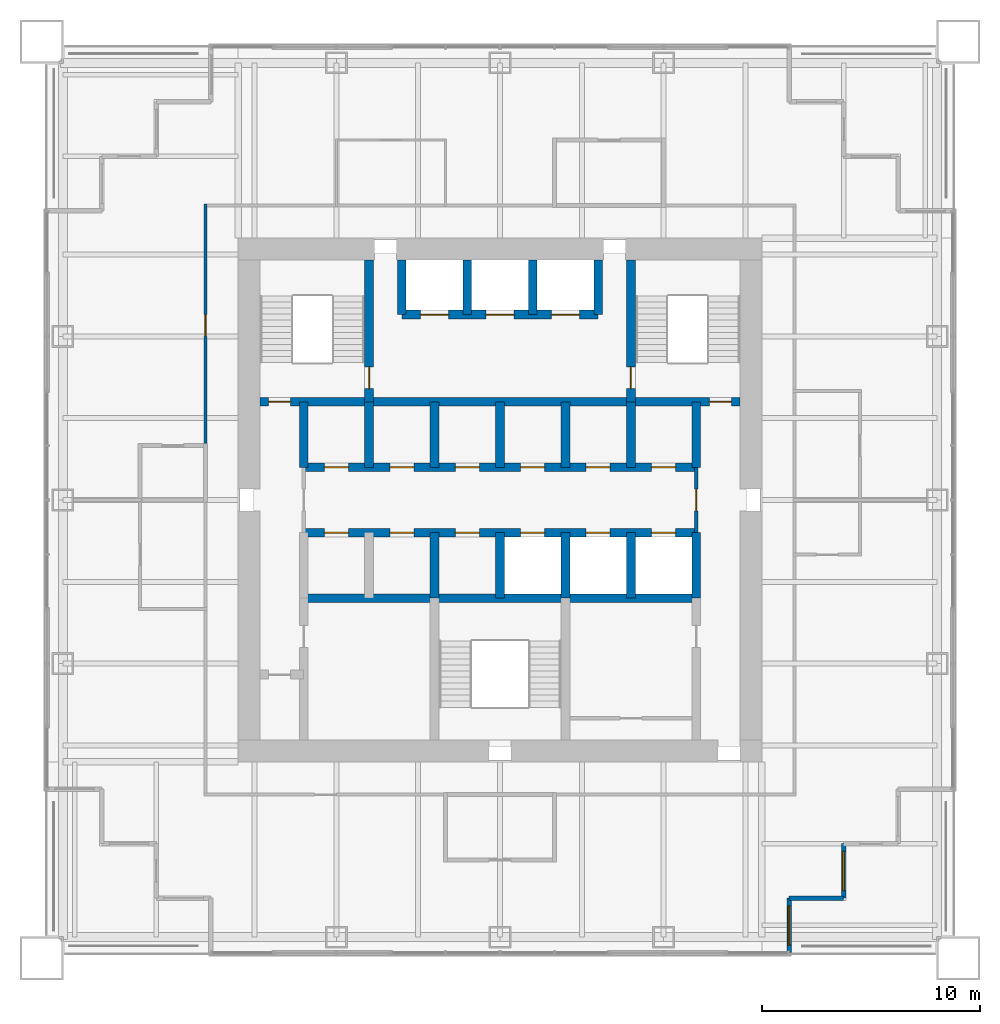
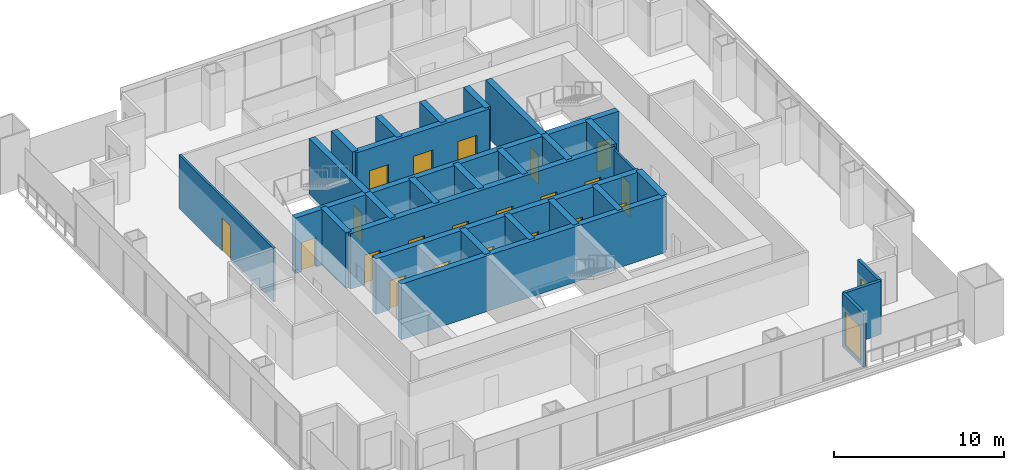
# One storey, part 10 of 14: 28 walls, 21 doors, 2 windows, 23 openings.
"""IFC4 building model written with IfcOpenShell, lengths in metres."""

from ifc_helpers import new_model, si_unit, direction, frame, frame_2d, origin, place, context, subcontext, project, spatial, rectangle, extrude, material, layer, layer_set, type_object, element, fill, save


model = new_model("IFC4")

# Units and contexts
model_context = context("Model", 3, precision=1e-05, world=origin(), true_north=direction((0.0, 1.0)))
body_context = subcontext(model_context, "Body", "Model", "MODEL_VIEW")
ifc_project = project(units=[si_unit("LENGTHUNIT", "METRE"), si_unit("AREAUNIT", "SQUARE_METRE"), si_unit("VOLUMEUNIT", "CUBIC_METRE"), si_unit("PLANEANGLEUNIT", "RADIAN"), si_unit("MASSUNIT", "GRAM", prefix="KILO")], contexts=[model_context])

# Site, building, storey
site_placement = place(None, origin())
site = spatial("IfcSite", under=ifc_project, at=site_placement, CompositionType="ELEMENT")
building_placement = place(site_placement, origin())
building = spatial("IfcBuilding", under=site, at=building_placement, Name="Tarangal Relay Tower", CompositionType="ELEMENT")
storey_placement = place(building_placement, frame((0.0, 0.0, 283.89990234375)))
storey = spatial("IfcBuildingStorey", under=building, at=storey_placement, Name="L62", CompositionType="ELEMENT", Elevation=283.89990234375)

# Wall, openings, doors
ifc_material_1 = material(Name="Concrete fc' 60 MPa", Category="concrete")
ifc_layer_1 = layer(ifc_material_1, 0.39990234375)
ifc_layer_set_1 = layer_set([ifc_layer_1], Name="Core inner wall 400")
wall_type_1 = type_object("IfcWallType", Name="Core inner wall 400", PredefinedType="SHEAR", material=ifc_layer_set_1)
wall_1_placement = place(storey_placement, frame((-11.0, 4.5, 0.0), z_axis=(0.0, 0.0, 1.0), x_axis=(1.0, 0.0, 0.0)))
wall_1 = element("IfcWall", 1, at=wall_1_placement, inside=storey, type_object=wall_type_1, Name="Core wall Y45 L62", PredefinedType="SHEAR", context=body_context, shape_type="SweptSolid", body=[
    extrude(rectangle(XDim=22.0, YDim=0.39990234375, at=frame_2d((11.0, 0.0))), origin(), (0.0, 0.0, 1.0), 4.0),
])
opening_1_placement = place(wall_1_placement, frame((0.39990234375, 0.0, 0.0)))
opening_1 = element("IfcOpeningElement", 2, at=opening_1_placement, cuts=wall_1, Name="Opening FD1", PredefinedType="OPENING", context=body_context, shape_type="SweptSolid", body=[
    extrude(rectangle(XDim=1.0, YDim=2.10009765625, at=frame_2d((0.5, 1.050048828125))), frame((0.0, 0.2099609375, 0.0), z_axis=(0.0, -1.0, 0.0), x_axis=(1.0, 0.0, 0.0)), (0.0, 0.0, 1.0), 0.419921875),
])
opening_2_placement = place(wall_1_placement, frame((20.60009765625, 0.0, 0.0)))
opening_2 = element("IfcOpeningElement", 3, at=opening_2_placement, cuts=wall_1, Name="Opening FD1", PredefinedType="OPENING", context=body_context, shape_type="SweptSolid", body=[
    extrude(rectangle(XDim=1.0, YDim=2.10009765625, at=frame_2d((0.5, 1.050048828125))), frame((0.0, 0.2099609375, 0.0), z_axis=(0.0, -1.0, 0.0), x_axis=(1.0, 0.0, 0.0)), (0.0, 0.0, 1.0), 0.419921875),
])
ifc_material_2 = material(Name="Steel door with hardwood frame", Category="steel")
door_type_1 = type_object("IfcDoorType", Name="Fire door 1000 x 2100", OperationType="SINGLE_SWING_LEFT", PredefinedType="DOOR", material=ifc_material_2)
door_1_placement = place(opening_1_placement, origin())
door_1 = element("IfcDoor", 4, at=door_1_placement, inside=storey, type_object=door_type_1, Name="Stair ST-A door from corridor L62", OperationType="SINGLE_SWING_LEFT", OverallHeight=2.10009765625, OverallWidth=1.0, PredefinedType="DOOR", context=body_context, shape_type="SweptSolid", body=[
    extrude(rectangle(XDim=1.0, YDim=2.10009765625, at=frame_2d((0.5, 1.050048828125))), frame((0.0, 0.02490234375, 0.0), z_axis=(0.0, -1.0, 0.0), x_axis=(1.0, 0.0, 0.0)), (0.0, 0.0, 1.0), 0.050048828125),
])
fill(opening_1, door_1)
door_2_placement = place(opening_2_placement, origin())
door_2 = element("IfcDoor", 5, at=door_2_placement, inside=storey, type_object=door_type_1, Name="Stair ST-B door from corridor L62", OperationType="SINGLE_SWING_LEFT", OverallHeight=2.10009765625, OverallWidth=1.0, PredefinedType="DOOR", context=body_context, shape_type="SweptSolid", body=[
    extrude(rectangle(XDim=1.0, YDim=2.10009765625, at=frame_2d((0.5, 1.050048828125))), frame((0.0, 0.02490234375, 0.0), z_axis=(0.0, -1.0, 0.0), x_axis=(1.0, 0.0, 0.0)), (0.0, 0.0, 1.0), 0.050048828125),
])
fill(opening_2, door_2)

wall_2_placement = place(storey_placement, frame((-9.0, 1.5, 0.0), z_axis=(0.0, 0.0, 1.0), x_axis=(1.0, 0.0, 0.0)))
wall_2 = element("IfcWall", 6, at=wall_2_placement, inside=storey, type_object=wall_type_1, Name="Core wall Y15 L62", PredefinedType="SHEAR", context=body_context, shape_type="SweptSolid", body=[
    extrude(rectangle(XDim=18.0, YDim=0.39990234375, at=frame_2d((9.0, 0.0))), origin(), (0.0, 0.0, 1.0), 4.0),
])
opening_3_placement = place(wall_2_placement, frame((0.949951171875, 0.0, 0.0)))
opening_3 = element("IfcOpeningElement", 7, at=opening_3_placement, cuts=wall_2, Name="Opening D4", PredefinedType="OPENING", context=body_context, shape_type="SweptSolid", body=[
    extrude(rectangle(XDim=1.10009765625, YDim=2.10009765625, at=frame_2d((0.550048828125, 1.050048828125))), frame((0.0, 0.2099609375, 0.0), z_axis=(0.0, -1.0, 0.0), x_axis=(1.0, 0.0, 0.0)), (0.0, 0.0, 1.0), 0.419921875),
])
opening_4_placement = place(wall_2_placement, frame((3.949951171875, 0.0, 0.0)))
opening_4 = element("IfcOpeningElement", 8, at=opening_4_placement, cuts=wall_2, Name="Opening D4", PredefinedType="OPENING", context=body_context, shape_type="SweptSolid", body=[
    extrude(rectangle(XDim=1.10009765625, YDim=2.10009765625, at=frame_2d((0.550048828125, 1.050048828125))), frame((0.0, 0.2099609375, 0.0), z_axis=(0.0, -1.0, 0.0), x_axis=(1.0, 0.0, 0.0)), (0.0, 0.0, 1.0), 0.419921875),
])
opening_5_placement = place(wall_2_placement, frame((6.949951171875, 0.0, 0.0)))
opening_5 = element("IfcOpeningElement", 9, at=opening_5_placement, cuts=wall_2, Name="Opening D4", PredefinedType="OPENING", context=body_context, shape_type="SweptSolid", body=[
    extrude(rectangle(XDim=1.10009765625, YDim=2.10009765625, at=frame_2d((0.550048828125, 1.050048828125))), frame((0.0, 0.2099609375, 0.0), z_axis=(0.0, -1.0, 0.0), x_axis=(1.0, 0.0, 0.0)), (0.0, 0.0, 1.0), 0.419921875),
])
opening_6_placement = place(wall_2_placement, frame((9.949951171875, 0.0, 0.0)))
opening_6 = element("IfcOpeningElement", 10, at=opening_6_placement, cuts=wall_2, Name="Opening D4", PredefinedType="OPENING", context=body_context, shape_type="SweptSolid", body=[
    extrude(rectangle(XDim=1.10009765625, YDim=2.10009765625, at=frame_2d((0.550048828125, 1.050048828125))), frame((0.0, 0.2099609375, 0.0), z_axis=(0.0, -1.0, 0.0), x_axis=(1.0, 0.0, 0.0)), (0.0, 0.0, 1.0), 0.419921875),
])
opening_7_placement = place(wall_2_placement, frame((12.949951171875, 0.0, 0.0)))
opening_7 = element("IfcOpeningElement", 11, at=opening_7_placement, cuts=wall_2, Name="Opening D4", PredefinedType="OPENING", context=body_context, shape_type="SweptSolid", body=[
    extrude(rectangle(XDim=1.10009765625, YDim=2.10009765625, at=frame_2d((0.550048828125, 1.050048828125))), frame((0.0, 0.2099609375, 0.0), z_axis=(0.0, -1.0, 0.0), x_axis=(1.0, 0.0, 0.0)), (0.0, 0.0, 1.0), 0.419921875),
])
opening_8_placement = place(wall_2_placement, frame((15.949951171875, 0.0, 0.0)))
opening_8 = element("IfcOpeningElement", 12, at=opening_8_placement, cuts=wall_2, Name="Opening D4", PredefinedType="OPENING", context=body_context, shape_type="SweptSolid", body=[
    extrude(rectangle(XDim=1.10009765625, YDim=2.10009765625, at=frame_2d((0.550048828125, 1.050048828125))), frame((0.0, 0.2099609375, 0.0), z_axis=(0.0, -1.0, 0.0), x_axis=(1.0, 0.0, 0.0)), (0.0, 0.0, 1.0), 0.419921875),
])
door_type_2 = type_object("IfcDoorType", Name="Core room door 1100 x 2100", OperationType="SINGLE_SWING_RIGHT", PredefinedType="DOOR", material=ifc_material_2)
door_3_placement = place(opening_3_placement, origin())
door_3 = element("IfcDoor", 13, at=door_3_placement, inside=storey, type_object=door_type_2, Name="Door D4 to staff wc L62-D1", OperationType="SINGLE_SWING_RIGHT", OverallHeight=2.10009765625, OverallWidth=1.10009765625, PredefinedType="DOOR", context=body_context, shape_type="SweptSolid", body=[
    extrude(rectangle(XDim=1.10009765625, YDim=2.10009765625, at=frame_2d((0.550048828125, 1.050048828125))), frame((0.0, 0.02490234375, 0.0), z_axis=(0.0, -1.0, 0.0), x_axis=(1.0, 0.0, 0.0)), (0.0, 0.0, 1.0), 0.050048828125),
])
fill(opening_3, door_3)
door_4_placement = place(opening_4_placement, origin())
door_4 = element("IfcDoor", 14, at=door_4_placement, inside=storey, type_object=door_type_2, Name="Door D4 to staff pantry L62-D2", OperationType="SINGLE_SWING_RIGHT", OverallHeight=2.10009765625, OverallWidth=1.10009765625, PredefinedType="DOOR", context=body_context, shape_type="SweptSolid", body=[
    extrude(rectangle(XDim=1.10009765625, YDim=2.10009765625, at=frame_2d((0.550048828125, 1.050048828125))), frame((0.0, 0.02490234375, 0.0), z_axis=(0.0, -1.0, 0.0), x_axis=(1.0, 0.0, 0.0)), (0.0, 0.0, 1.0), 0.050048828125),
])
fill(opening_4, door_4)
door_5_placement = place(opening_5_placement, origin())
door_5 = element("IfcDoor", 15, at=door_5_placement, inside=storey, type_object=door_type_2, Name="Door D4 to it room L62-D3", OperationType="SINGLE_SWING_RIGHT", OverallHeight=2.10009765625, OverallWidth=1.10009765625, PredefinedType="DOOR", context=body_context, shape_type="SweptSolid", body=[
    extrude(rectangle(XDim=1.10009765625, YDim=2.10009765625, at=frame_2d((0.550048828125, 1.050048828125))), frame((0.0, 0.02490234375, 0.0), z_axis=(0.0, -1.0, 0.0), x_axis=(1.0, 0.0, 0.0)), (0.0, 0.0, 1.0), 0.050048828125),
])
fill(opening_5, door_5)
door_6_placement = place(opening_6_placement, origin())
door_6 = element("IfcDoor", 16, at=door_6_placement, inside=storey, type_object=door_type_2, Name="Door D4 to cleaner's store L62-T1", OperationType="SINGLE_SWING_RIGHT", OverallHeight=2.10009765625, OverallWidth=1.10009765625, PredefinedType="DOOR", context=body_context, shape_type="SweptSolid", body=[
    extrude(rectangle(XDim=1.10009765625, YDim=2.10009765625, at=frame_2d((0.550048828125, 1.050048828125))), frame((0.0, 0.02490234375, 0.0), z_axis=(0.0, -1.0, 0.0), x_axis=(1.0, 0.0, 0.0)), (0.0, 0.0, 1.0), 0.050048828125),
])
fill(opening_6, door_6)
door_7_placement = place(opening_7_placement, origin())
door_7 = element("IfcDoor", 17, at=door_7_placement, inside=storey, type_object=door_type_2, Name="Door D4 to staff wc L62-T2", OperationType="SINGLE_SWING_RIGHT", OverallHeight=2.10009765625, OverallWidth=1.10009765625, PredefinedType="DOOR", context=body_context, shape_type="SweptSolid", body=[
    extrude(rectangle(XDim=1.10009765625, YDim=2.10009765625, at=frame_2d((0.550048828125, 1.050048828125))), frame((0.0, 0.02490234375, 0.0), z_axis=(0.0, -1.0, 0.0), x_axis=(1.0, 0.0, 0.0)), (0.0, 0.0, 1.0), 0.050048828125),
])
fill(opening_7, door_7)
door_8_placement = place(opening_8_placement, origin())
door_8 = element("IfcDoor", 18, at=door_8_placement, inside=storey, type_object=door_type_2, Name="Door D4 to staff pantry L62-T3", OperationType="SINGLE_SWING_RIGHT", OverallHeight=2.10009765625, OverallWidth=1.10009765625, PredefinedType="DOOR", context=body_context, shape_type="SweptSolid", body=[
    extrude(rectangle(XDim=1.10009765625, YDim=2.10009765625, at=frame_2d((0.550048828125, 1.050048828125))), frame((0.0, 0.02490234375, 0.0), z_axis=(0.0, -1.0, 0.0), x_axis=(1.0, 0.0, 0.0)), (0.0, 0.0, 1.0), 0.050048828125),
])
fill(opening_8, door_8)

wall_3_placement = place(storey_placement, frame((-9.0, -1.5, 0.0), z_axis=(0.0, 0.0, 1.0), x_axis=(1.0, 0.0, 0.0)))
wall_3 = element("IfcWall", 19, at=wall_3_placement, inside=storey, type_object=wall_type_1, Name="Core wall YM15 L62", PredefinedType="SHEAR", context=body_context, shape_type="SweptSolid", body=[
    extrude(rectangle(XDim=18.0, YDim=0.39990234375, at=frame_2d((9.0, 0.0))), origin(), (0.0, 0.0, 1.0), 4.0),
])
opening_9_placement = place(wall_3_placement, frame((9.949951171875, 0.0, 0.0)))
opening_9 = element("IfcOpeningElement", 20, at=opening_9_placement, cuts=wall_3, Name="Opening LD1", PredefinedType="OPENING", context=body_context, shape_type="SweptSolid", body=[
    extrude(rectangle(XDim=1.10009765625, YDim=2.10009765625, at=frame_2d((0.550048828125, 1.050048828125))), frame((0.0, 0.2099609375, 0.0), z_axis=(0.0, -1.0, 0.0), x_axis=(1.0, 0.0, 0.0)), (0.0, 0.0, 1.0), 0.419921875),
])
opening_10_placement = place(wall_3_placement, frame((12.949951171875, 0.0, 0.0)))
opening_10 = element("IfcOpeningElement", 21, at=opening_10_placement, cuts=wall_3, Name="Opening LD1", PredefinedType="OPENING", context=body_context, shape_type="SweptSolid", body=[
    extrude(rectangle(XDim=1.10009765625, YDim=2.10009765625, at=frame_2d((0.550048828125, 1.050048828125))), frame((0.0, 0.2099609375, 0.0), z_axis=(0.0, -1.0, 0.0), x_axis=(1.0, 0.0, 0.0)), (0.0, 0.0, 1.0), 0.419921875),
])
opening_11_placement = place(wall_3_placement, frame((15.949951171875, 0.0, 0.0)))
opening_11 = element("IfcOpeningElement", 22, at=opening_11_placement, cuts=wall_3, Name="Opening LD1", PredefinedType="OPENING", context=body_context, shape_type="SweptSolid", body=[
    extrude(rectangle(XDim=1.10009765625, YDim=2.10009765625, at=frame_2d((0.550048828125, 1.050048828125))), frame((0.0, 0.2099609375, 0.0), z_axis=(0.0, -1.0, 0.0), x_axis=(1.0, 0.0, 0.0)), (0.0, 0.0, 1.0), 0.419921875),
])
opening_12_placement = place(wall_3_placement, frame((0.949951171875, 0.0, 0.0)))
opening_12 = element("IfcOpeningElement", 23, at=opening_12_placement, cuts=wall_3, Name="Opening D4", PredefinedType="OPENING", context=body_context, shape_type="SweptSolid", body=[
    extrude(rectangle(XDim=1.10009765625, YDim=2.10009765625, at=frame_2d((0.550048828125, 1.050048828125))), frame((0.0, 0.2099609375, 0.0), z_axis=(0.0, -1.0, 0.0), x_axis=(1.0, 0.0, 0.0)), (0.0, 0.0, 1.0), 0.419921875),
])
opening_13_placement = place(wall_3_placement, frame((3.949951171875, 0.0, 0.0)))
opening_13 = element("IfcOpeningElement", 24, at=opening_13_placement, cuts=wall_3, Name="Opening D4", PredefinedType="OPENING", context=body_context, shape_type="SweptSolid", body=[
    extrude(rectangle(XDim=1.10009765625, YDim=2.10009765625, at=frame_2d((0.550048828125, 1.050048828125))), frame((0.0, 0.2099609375, 0.0), z_axis=(0.0, -1.0, 0.0), x_axis=(1.0, 0.0, 0.0)), (0.0, 0.0, 1.0), 0.419921875),
])
opening_14_placement = place(wall_3_placement, frame((6.949951171875, 0.0, 0.0)))
opening_14 = element("IfcOpeningElement", 25, at=opening_14_placement, cuts=wall_3, Name="Opening D4", PredefinedType="OPENING", context=body_context, shape_type="SweptSolid", body=[
    extrude(rectangle(XDim=1.10009765625, YDim=2.10009765625, at=frame_2d((0.550048828125, 1.050048828125))), frame((0.0, 0.2099609375, 0.0), z_axis=(0.0, -1.0, 0.0), x_axis=(1.0, 0.0, 0.0)), (0.0, 0.0, 1.0), 0.419921875),
])
door_9_placement = place(opening_12_placement, origin())
door_9 = element("IfcDoor", 26, at=door_9_placement, inside=storey, type_object=door_type_2, Name="Door D4 to it room L62-S1", OperationType="SINGLE_SWING_RIGHT", OverallHeight=2.10009765625, OverallWidth=1.10009765625, PredefinedType="DOOR", context=body_context, shape_type="SweptSolid", body=[
    extrude(rectangle(XDim=1.10009765625, YDim=2.10009765625, at=frame_2d((0.550048828125, 1.050048828125))), frame((0.0, 0.02490234375, 0.0), z_axis=(0.0, -1.0, 0.0), x_axis=(1.0, 0.0, 0.0)), (0.0, 0.0, 1.0), 0.050048828125),
])
fill(opening_12, door_9)
door_10_placement = place(opening_13_placement, origin())
door_10 = element("IfcDoor", 27, at=door_10_placement, inside=storey, type_object=door_type_2, Name="Door D4 to cleaner's store L62-S2", OperationType="SINGLE_SWING_RIGHT", OverallHeight=2.10009765625, OverallWidth=1.10009765625, PredefinedType="DOOR", context=body_context, shape_type="SweptSolid", body=[
    extrude(rectangle(XDim=1.10009765625, YDim=2.10009765625, at=frame_2d((0.550048828125, 1.050048828125))), frame((0.0, 0.02490234375, 0.0), z_axis=(0.0, -1.0, 0.0), x_axis=(1.0, 0.0, 0.0)), (0.0, 0.0, 1.0), 0.050048828125),
])
fill(opening_13, door_10)
door_11_placement = place(opening_14_placement, origin())
door_11 = element("IfcDoor", 28, at=door_11_placement, inside=storey, type_object=door_type_2, Name="Door D4 to staff wc L62-S3", OperationType="SINGLE_SWING_RIGHT", OverallHeight=2.10009765625, OverallWidth=1.10009765625, PredefinedType="DOOR", context=body_context, shape_type="SweptSolid", body=[
    extrude(rectangle(XDim=1.10009765625, YDim=2.10009765625, at=frame_2d((0.550048828125, 1.050048828125))), frame((0.0, 0.02490234375, 0.0), z_axis=(0.0, -1.0, 0.0), x_axis=(1.0, 0.0, 0.0)), (0.0, 0.0, 1.0), 0.050048828125),
])
fill(opening_14, door_11)
door_type_3 = type_object("IfcDoorType", Name="Lift landing door 1100 x 2100", OperationType="SLIDING_TO_LEFT", PredefinedType="DOOR", material=ifc_material_2)
door_12_placement = place(opening_9_placement, origin())
door_12 = element("IfcDoor", 29, at=door_12_placement, inside=storey, type_object=door_type_3, Name="Lift OH1 landing door L62", OperationType="SLIDING_TO_LEFT", OverallHeight=2.10009765625, OverallWidth=1.10009765625, PredefinedType="DOOR", context=body_context, shape_type="SweptSolid", body=[
    extrude(rectangle(XDim=1.10009765625, YDim=2.10009765625, at=frame_2d((0.550048828125, 1.050048828125))), frame((0.0, 0.02490234375, 0.0), z_axis=(0.0, -1.0, 0.0), x_axis=(1.0, 0.0, 0.0)), (0.0, 0.0, 1.0), 0.050048828125),
])
fill(opening_9, door_12)
door_13_placement = place(opening_10_placement, origin())
door_13 = element("IfcDoor", 30, at=door_13_placement, inside=storey, type_object=door_type_3, Name="Lift OH2 landing door L62", OperationType="SLIDING_TO_LEFT", OverallHeight=2.10009765625, OverallWidth=1.10009765625, PredefinedType="DOOR", context=body_context, shape_type="SweptSolid", body=[
    extrude(rectangle(XDim=1.10009765625, YDim=2.10009765625, at=frame_2d((0.550048828125, 1.050048828125))), frame((0.0, 0.02490234375, 0.0), z_axis=(0.0, -1.0, 0.0), x_axis=(1.0, 0.0, 0.0)), (0.0, 0.0, 1.0), 0.050048828125),
])
fill(opening_10, door_13)
door_14_placement = place(opening_11_placement, origin())
door_14 = element("IfcDoor", 31, at=door_14_placement, inside=storey, type_object=door_type_3, Name="Lift OH3 landing door L62", OperationType="SLIDING_TO_LEFT", OverallHeight=2.10009765625, OverallWidth=1.10009765625, PredefinedType="DOOR", context=body_context, shape_type="SweptSolid", body=[
    extrude(rectangle(XDim=1.10009765625, YDim=2.10009765625, at=frame_2d((0.550048828125, 1.050048828125))), frame((0.0, 0.02490234375, 0.0), z_axis=(0.0, -1.0, 0.0), x_axis=(1.0, 0.0, 0.0)), (0.0, 0.0, 1.0), 0.050048828125),
])
fill(opening_11, door_14)

# Wall
wall_4_placement = place(storey_placement, frame((-9.0, -4.5, 0.0), z_axis=(0.0, 0.0, 1.0), x_axis=(1.0, 0.0, 0.0)))
element("IfcWall", 32, at=wall_4_placement, inside=storey, type_object=wall_type_1, Name="Core wall YM45 L62", PredefinedType="SHEAR", context=body_context, shape_type="SweptSolid", body=[
    extrude(rectangle(XDim=18.0, YDim=0.39990234375, at=frame_2d((9.0, 0.0))), origin(), (0.0, 0.0, 1.0), 4.0),
])

# Wall, openings, doors
wall_5_placement = place(storey_placement, frame((-4.5, 8.5, 0.0), z_axis=(0.0, 0.0, 1.0), x_axis=(1.0, 0.0, 0.0)))
wall_5 = element("IfcWall", 33, at=wall_5_placement, inside=storey, type_object=wall_type_1, Name="Core wall Y85 L62", PredefinedType="SHEAR", context=body_context, shape_type="SweptSolid", body=[
    extrude(rectangle(XDim=9.0, YDim=0.39990234375, at=frame_2d((4.5, 0.0))), origin(), (0.0, 0.0, 1.0), 4.0),
])
opening_15_placement = place(wall_5_placement, frame((0.85009765625, 0.0, 0.0)))
opening_15 = element("IfcOpeningElement", 34, at=opening_15_placement, cuts=wall_5, Name="Opening LD2", PredefinedType="OPENING", context=body_context, shape_type="SweptSolid", body=[
    extrude(rectangle(XDim=1.300048828125, YDim=2.39990234375, at=frame_2d((0.64990234375, 1.199951171875))), frame((0.0, 0.2099609375, 0.0), z_axis=(0.0, -1.0, 0.0), x_axis=(1.0, 0.0, 0.0)), (0.0, 0.0, 1.0), 0.419921875),
])
opening_16_placement = place(wall_5_placement, frame((6.85009765625, 0.0, 0.0)))
opening_16 = element("IfcOpeningElement", 35, at=opening_16_placement, cuts=wall_5, Name="Opening LD2", PredefinedType="OPENING", context=body_context, shape_type="SweptSolid", body=[
    extrude(rectangle(XDim=1.300048828125, YDim=2.39990234375, at=frame_2d((0.64990234375, 1.199951171875))), frame((0.0, 0.2099609375, 0.0), z_axis=(0.0, -1.0, 0.0), x_axis=(1.0, 0.0, 0.0)), (0.0, 0.0, 1.0), 0.419921875),
])
opening_17_placement = place(wall_5_placement, frame((3.85009765625, 0.0, 0.0)))
opening_17 = element("IfcOpeningElement", 36, at=opening_17_placement, cuts=wall_5, Name="Opening LD2", PredefinedType="OPENING", context=body_context, shape_type="SweptSolid", body=[
    extrude(rectangle(XDim=1.300048828125, YDim=2.39990234375, at=frame_2d((0.64990234375, 1.199951171875))), frame((0.0, 0.2099609375, 0.0), z_axis=(0.0, -1.0, 0.0), x_axis=(1.0, 0.0, 0.0)), (0.0, 0.0, 1.0), 0.419921875),
])
door_type_4 = type_object("IfcDoorType", Name="Lift landing door 1300 x 2400", OperationType="SLIDING_TO_LEFT", PredefinedType="DOOR", material=ifc_material_2)
door_15_placement = place(opening_15_placement, origin())
door_15 = element("IfcDoor", 37, at=door_15_placement, inside=storey, type_object=door_type_4, Name="Lift FF1 landing door L62", OperationType="SLIDING_TO_LEFT", OverallHeight=2.39990234375, OverallWidth=1.300048828125, PredefinedType="DOOR", context=body_context, shape_type="SweptSolid", body=[
    extrude(rectangle(XDim=1.300048828125, YDim=2.39990234375, at=frame_2d((0.64990234375, 1.199951171875))), frame((0.0, 0.02490234375, 0.0), z_axis=(0.0, -1.0, 0.0), x_axis=(1.0, 0.0, 0.0)), (0.0, 0.0, 1.0), 0.050048828125),
])
fill(opening_15, door_15)
door_16_placement = place(opening_16_placement, origin())
door_16 = element("IfcDoor", 38, at=door_16_placement, inside=storey, type_object=door_type_4, Name="Lift FF2 landing door L62", OperationType="SLIDING_TO_LEFT", OverallHeight=2.39990234375, OverallWidth=1.300048828125, PredefinedType="DOOR", context=body_context, shape_type="SweptSolid", body=[
    extrude(rectangle(XDim=1.300048828125, YDim=2.39990234375, at=frame_2d((0.64990234375, 1.199951171875))), frame((0.0, 0.02490234375, 0.0), z_axis=(0.0, -1.0, 0.0), x_axis=(1.0, 0.0, 0.0)), (0.0, 0.0, 1.0), 0.050048828125),
])
fill(opening_16, door_16)
door_17_placement = place(opening_17_placement, origin())
door_17 = element("IfcDoor", 39, at=door_17_placement, inside=storey, type_object=door_type_4, Name="Lift SV1 landing door L62", OperationType="SLIDING_TO_LEFT", OverallHeight=2.39990234375, OverallWidth=1.300048828125, PredefinedType="DOOR", context=body_context, shape_type="SweptSolid", body=[
    extrude(rectangle(XDim=1.300048828125, YDim=2.39990234375, at=frame_2d((0.64990234375, 1.199951171875))), frame((0.0, 0.02490234375, 0.0), z_axis=(0.0, -1.0, 0.0), x_axis=(1.0, 0.0, 0.0)), (0.0, 0.0, 1.0), 0.050048828125),
])
fill(opening_17, door_17)

# Walls
for number, where, z_axis, x_axis, name in (
    (40, (-9.0, 1.5, 0.0), (0.0, 0.0, 1.0), (0.0, 1.0, 0.0), "Core wall XM9N L62"),
    (41, (9.0, 1.5, 0.0), (0.0, 0.0, 1.0), (0.0, 1.0, 0.0), "Core wall X9N L62"),
    (42, (9.0, -4.5, 0.0), (0.0, 0.0, 1.0), (0.0, 1.0, 0.0), "Core wall X9S L62"),
    (43, (-6.0, 1.5, 0.0), (0.0, 0.0, 1.0), (0.0, 1.0, 0.0), "Core wall XM6N L62"),
    (44, (-3.0, 1.5, 0.0), (0.0, 0.0, 1.0), (0.0, 1.0, 0.0), "Core wall XM3N L62"),
    (45, (0.0, 1.5, 0.0), (0.0, 0.0, 1.0), (0.0, 1.0, 0.0), "Core wall X0N L62"),
    (46, (3.0, 1.5, 0.0), (0.0, 0.0, 1.0), (0.0, 1.0, 0.0), "Core wall X3N L62"),
    (47, (6.0, 1.5, 0.0), (0.0, 0.0, 1.0), (0.0, 1.0, 0.0), "Core wall X6N L62"),
    (48, (-3.0, -4.5, 0.0), (0.0, 0.0, 1.0), (0.0, 1.0, 0.0), "Core wall XM3S L62"),
    (49, (0.0, -4.5, 0.0), (0.0, 0.0, 1.0), (0.0, 1.0, 0.0), "Core wall X0S L62"),
    (50, (3.0, -4.5, 0.0), (0.0, 0.0, 1.0), (0.0, 1.0, 0.0), "Core wall X3S L62"),
    (51, (6.0, -4.5, 0.0), (0.0, 0.0, 1.0), (0.0, 1.0, 0.0), "Core wall X6S L62"),
):
    element("IfcWall", number, at=place(storey_placement, frame(where, z_axis=z_axis, x_axis=x_axis)), inside=storey, type_object=wall_type_1, Name=name, PredefinedType="SHEAR", context=body_context, shape_type="SweptSolid", body=[
        extrude(rectangle(XDim=3.0, YDim=0.39990234375, at=frame_2d((1.5, 0.0))), origin(), (0.0, 0.0, 1.0), 4.0),
    ])

# Wall, opening, door
wall_6_placement = place(storey_placement, frame((-6.0, 4.5, 0.0), z_axis=(0.0, 0.0, 1.0), x_axis=(0.0, 1.0, 0.0)))
wall_6 = element("IfcWall", 52, at=wall_6_placement, inside=storey, type_object=wall_type_1, Name="Core wall XM6 L62", PredefinedType="SHEAR", context=body_context, shape_type="SweptSolid", body=[
    extrude(rectangle(XDim=6.5, YDim=0.39990234375, at=frame_2d((3.25, 0.0))), origin(), (0.0, 0.0, 1.0), 4.0),
])
opening_18_placement = place(wall_6_placement, frame((0.60009765625, 0.0, 0.0)))
opening_18 = element("IfcOpeningElement", 53, at=opening_18_placement, cuts=wall_6, Name="Opening FD1", PredefinedType="OPENING", context=body_context, shape_type="SweptSolid", body=[
    extrude(rectangle(XDim=1.0, YDim=2.10009765625, at=frame_2d((0.5, 1.050048828125))), frame((0.0, 0.2099609375, 0.0), z_axis=(0.0, -1.0, 0.0), x_axis=(1.0, 0.0, 0.0)), (0.0, 0.0, 1.0), 0.419921875),
])
door_18_placement = place(opening_18_placement, origin())
door_18 = element("IfcDoor", 54, at=door_18_placement, inside=storey, type_object=door_type_1, Name="Stair ST-A door from fire-fighting lobby L62", OperationType="SINGLE_SWING_LEFT", OverallHeight=2.10009765625, OverallWidth=1.0, PredefinedType="DOOR", context=body_context, shape_type="SweptSolid", body=[
    extrude(rectangle(XDim=1.0, YDim=2.10009765625, at=frame_2d((0.5, 1.050048828125))), frame((0.0, 0.02490234375, 0.0), z_axis=(0.0, -1.0, 0.0), x_axis=(1.0, 0.0, 0.0)), (0.0, 0.0, 1.0), 0.050048828125),
])
fill(opening_18, door_18)

wall_7_placement = place(storey_placement, frame((6.0, 4.5, 0.0), z_axis=(0.0, 0.0, 1.0), x_axis=(0.0, 1.0, 0.0)))
wall_7 = element("IfcWall", 55, at=wall_7_placement, inside=storey, type_object=wall_type_1, Name="Core wall X6 L62", PredefinedType="SHEAR", context=body_context, shape_type="SweptSolid", body=[
    extrude(rectangle(XDim=6.5, YDim=0.39990234375, at=frame_2d((3.25, 0.0))), origin(), (0.0, 0.0, 1.0), 4.0),
])
opening_19_placement = place(wall_7_placement, frame((0.60009765625, 0.0, 0.0)))
opening_19 = element("IfcOpeningElement", 56, at=opening_19_placement, cuts=wall_7, Name="Opening FD1", PredefinedType="OPENING", context=body_context, shape_type="SweptSolid", body=[
    extrude(rectangle(XDim=1.0, YDim=2.10009765625, at=frame_2d((0.5, 1.050048828125))), frame((0.0, 0.2099609375, 0.0), z_axis=(0.0, -1.0, 0.0), x_axis=(1.0, 0.0, 0.0)), (0.0, 0.0, 1.0), 0.419921875),
])
door_19_placement = place(opening_19_placement, origin())
door_19 = element("IfcDoor", 57, at=door_19_placement, inside=storey, type_object=door_type_1, Name="Stair ST-B door from fire-fighting lobby L62", OperationType="SINGLE_SWING_LEFT", OverallHeight=2.10009765625, OverallWidth=1.0, PredefinedType="DOOR", context=body_context, shape_type="SweptSolid", body=[
    extrude(rectangle(XDim=1.0, YDim=2.10009765625, at=frame_2d((0.5, 1.050048828125))), frame((0.0, 0.02490234375, 0.0), z_axis=(0.0, -1.0, 0.0), x_axis=(1.0, 0.0, 0.0)), (0.0, 0.0, 1.0), 0.050048828125),
])
fill(opening_19, door_19)

# Walls
for number, where, z_axis, x_axis, name in (
    (58, (-4.5, 8.5, 0.0), (0.0, 0.0, 1.0), (0.0, 1.0, 0.0), "Core wall XM45 L62"),
    (59, (4.5, 8.5, 0.0), (0.0, 0.0, 1.0), (0.0, 1.0, 0.0), "Core wall X45 L62"),
    (60, (-1.5, 8.5, 0.0), (0.0, 0.0, 1.0), (0.0, 1.0, 0.0), "Core wall XM15 L62"),
    (61, (1.5, 8.5, 0.0), (0.0, 0.0, 1.0), (0.0, 1.0, 0.0), "Core wall X15 L62"),
):
    element("IfcWall", number, at=place(storey_placement, frame(where, z_axis=z_axis, x_axis=x_axis)), inside=storey, type_object=wall_type_1, Name=name, PredefinedType="SHEAR", context=body_context, shape_type="SweptSolid", body=[
        extrude(rectangle(XDim=2.5, YDim=0.39990234375, at=frame_2d((1.25, 0.0))), origin(), (0.0, 0.0, 1.0), 4.0),
    ])

# Wall, opening, window
ifc_material_3 = material(Name="Black metal clad insulated wall", Category="steel")
ifc_layer_2 = layer(ifc_material_3, 0.199951171875)
ifc_layer_set_2 = layer_set([ifc_layer_2], Name="Corner wall metal clad 200")
wall_type_2 = type_object("IfcWallType", Name="Corner wall metal clad 200", PredefinedType="SOLIDWALL", material=ifc_layer_set_2)
wall_8_placement = place(storey_placement, frame((15.75, -15.75, 0.0), z_axis=(0.0, 0.0, 1.0), x_axis=(0.0, -1.0, 0.0)))
wall_8 = element("IfcWall", 62, at=wall_8_placement, inside=storey, type_object=wall_type_2, Name="Facade wall E facade L62", PredefinedType="SOLIDWALL", context=body_context, shape_type="SweptSolid", body=[
    extrude(rectangle(XDim=2.5, YDim=0.199951171875, at=frame_2d((1.25, 0.0))), origin(), (0.0, 0.0, 1.0), 3.85009765625),
])
opening_20_placement = place(wall_8_placement, frame((0.35009765625, 0.0, 0.300048828125)))
opening_20 = element("IfcOpeningElement", 63, at=opening_20_placement, cuts=wall_8, Name="Opening WN2", PredefinedType="OPENING", context=body_context, shape_type="SweptSolid", body=[
    extrude(rectangle(XDim=1.800048828125, YDim=2.39990234375, at=frame_2d((0.89990234375, 1.199951171875))), frame((0.0, 0.10986328125, 0.0), z_axis=(0.0, -1.0, 0.0), x_axis=(1.0, 0.0, 0.0)), (0.0, 0.0, 1.0), 0.219970703125),
])
ifc_material_4 = material(Name="Dark tinted double glazing in black aluminium frame", Category="aluminium")
window_type = type_object("IfcWindowType", Name="Corner window 1800 x 2400", PartitioningType="SINGLE_PANEL", PredefinedType="WINDOW", material=ifc_material_4)
window_1_placement = place(opening_20_placement, origin())
window_1 = element("IfcWindow", 64, at=window_1_placement, inside=storey, type_object=window_type, Name="Corner window WN2 E facade L62", OverallHeight=2.39990234375, OverallWidth=1.800048828125, PartitioningType="SINGLE_PANEL", PredefinedType="WINDOW", context=body_context, shape_type="SweptSolid", body=[
    extrude(rectangle(XDim=1.800048828125, YDim=2.39990234375, at=frame_2d((0.89990234375, 1.199951171875))), frame((0.0, 0.030029296875, 0.0), z_axis=(0.0, -1.0, 0.0), x_axis=(1.0, 0.0, 0.0)), (0.0, 0.0, 1.0), 0.06005859375),
])
fill(opening_20, window_1)

# Wall
wall_9_placement = place(storey_placement, frame((15.75, -18.25, 0.0), z_axis=(0.0, 0.0, 1.0), x_axis=(-1.0, 0.0, 0.0)))
element("IfcWall", 65, at=wall_9_placement, inside=storey, type_object=wall_type_2, Name="Facade wall E facade L62", PredefinedType="SOLIDWALL", context=body_context, shape_type="SweptSolid", body=[
    extrude(rectangle(XDim=2.5, YDim=0.199951171875, at=frame_2d((1.25, 0.0))), origin(), (0.0, 0.0, 1.0), 3.85009765625),
])

# Wall, opening, window
wall_10_placement = place(storey_placement, frame((13.25, -18.25, 0.0), z_axis=(0.0, 0.0, 1.0), x_axis=(0.0, -1.0, 0.0)))
wall_10 = element("IfcWall", 66, at=wall_10_placement, inside=storey, type_object=wall_type_2, Name="Facade wall E facade L62", PredefinedType="SOLIDWALL", context=body_context, shape_type="SweptSolid", body=[
    extrude(rectangle(XDim=2.5, YDim=0.199951171875, at=frame_2d((1.25, 0.0))), origin(), (0.0, 0.0, 1.0), 3.85009765625),
])
opening_21_placement = place(wall_10_placement, frame((0.35009765625, 0.0, 0.300048828125)))
opening_21 = element("IfcOpeningElement", 67, at=opening_21_placement, cuts=wall_10, Name="Opening WN2", PredefinedType="OPENING", context=body_context, shape_type="SweptSolid", body=[
    extrude(rectangle(XDim=1.800048828125, YDim=2.39990234375, at=frame_2d((0.89990234375, 1.199951171875))), frame((0.0, 0.10986328125, 0.0), z_axis=(0.0, -1.0, 0.0), x_axis=(1.0, 0.0, 0.0)), (0.0, 0.0, 1.0), 0.219970703125),
])
window_2_placement = place(opening_21_placement, origin())
window_2 = element("IfcWindow", 68, at=window_2_placement, inside=storey, type_object=window_type, Name="Corner window WN2 E facade L62", OverallHeight=2.39990234375, OverallWidth=1.800048828125, PartitioningType="SINGLE_PANEL", PredefinedType="WINDOW", context=body_context, shape_type="SweptSolid", body=[
    extrude(rectangle(XDim=1.800048828125, YDim=2.39990234375, at=frame_2d((0.89990234375, 1.199951171875))), frame((0.0, 0.030029296875, 0.0), z_axis=(0.0, -1.0, 0.0), x_axis=(1.0, 0.0, 0.0)), (0.0, 0.0, 1.0), 0.06005859375),
])
fill(opening_21, window_2)

# Wall, opening, door
ifc_material_5 = material(Name="Gypsum board on steel studs", Category="steel")
ifc_layer_3 = layer(ifc_material_5, 0.14990234375)
ifc_layer_set_3 = layer_set([ifc_layer_3], Name="Partition 150")
wall_type_3 = type_object("IfcWallType", Name="Partition 150", PredefinedType="PARTITIONING", material=ifc_layer_set_3)
wall_11_placement = place(storey_placement, frame((-13.5, 2.425048828125, 0.0), z_axis=(0.0, 0.0, 1.0), x_axis=(0.0, 1.0, 0.0)))
wall_11 = element("IfcWall", 69, at=wall_11_placement, inside=storey, type_object=wall_type_3, Name="Partition PT1 L62", PredefinedType="PARTITIONING", context=body_context, shape_type="SweptSolid", body=[
    extrude(rectangle(XDim=11.14990234375, YDim=0.14990234375, at=frame_2d((5.574951171875, 0.0))), origin(), (0.0, 0.0, 1.0), 3.85009765625),
])
opening_22_placement = place(wall_11_placement, frame((5.074951171875, 0.0, 0.0)))
opening_22 = element("IfcOpeningElement", 70, at=opening_22_placement, cuts=wall_11, Name="Opening SD1", PredefinedType="OPENING", context=body_context, shape_type="SweptSolid", body=[
    extrude(rectangle(XDim=1.0, YDim=2.39990234375, at=frame_2d((0.5, 1.199951171875))), frame((0.0, 0.0849609375, 0.0), z_axis=(0.0, -1.0, 0.0), x_axis=(1.0, 0.0, 0.0)), (0.0, 0.0, 1.0), 0.169921875),
])
door_type_5 = type_object("IfcDoorType", Name="Suite entrance door 1000 x 2400", OperationType="SINGLE_SWING_RIGHT", PredefinedType="DOOR", material=ifc_material_2)
door_20_placement = place(opening_22_placement, origin())
door_20 = element("IfcDoor", 71, at=door_20_placement, inside=storey, type_object=door_type_5, Name="Door SD1 to open plan office L62-09", OperationType="SINGLE_SWING_RIGHT", OverallHeight=2.39990234375, OverallWidth=1.0, PredefinedType="DOOR", context=body_context, shape_type="SweptSolid", body=[
    extrude(rectangle(XDim=1.0, YDim=2.39990234375, at=frame_2d((0.5, 1.199951171875))), frame((0.0, 0.02490234375, 0.0), z_axis=(0.0, -1.0, 0.0), x_axis=(1.0, 0.0, 0.0)), (0.0, 0.0, 1.0), 0.050048828125),
])
fill(opening_22, door_20)

wall_12_placement = place(storey_placement, frame((9.0, -1.5, 0.0), z_axis=(0.0, 0.0, 1.0), x_axis=(0.0, 1.0, 0.0)))
wall_12 = element("IfcWall", 72, at=wall_12_placement, inside=storey, type_object=wall_type_3, Name="Partition PT1 L62", PredefinedType="PARTITIONING", context=body_context, shape_type="SweptSolid", body=[
    extrude(rectangle(XDim=3.0, YDim=0.14990234375, at=frame_2d((1.5, 0.0))), origin(), (0.0, 0.0, 1.0), 3.75),
])
opening_23_placement = place(wall_12_placement, frame((1.0, 0.0, 0.0)))
opening_23 = element("IfcOpeningElement", 73, at=opening_23_placement, cuts=wall_12, Name="Opening FD3", PredefinedType="OPENING", context=body_context, shape_type="SweptSolid", body=[
    extrude(rectangle(XDim=1.0, YDim=2.39990234375, at=frame_2d((0.5, 1.199951171875))), frame((0.0, 0.0849609375, 0.0), z_axis=(0.0, -1.0, 0.0), x_axis=(1.0, 0.0, 0.0)), (0.0, 0.0, 1.0), 0.169921875),
])
door_type_6 = type_object("IfcDoorType", Name="Fire door 1000 x 2400 core entry", OperationType="SINGLE_SWING_RIGHT", PredefinedType="DOOR", material=ifc_material_2)
door_21_placement = place(opening_23_placement, origin())
door_21 = element("IfcDoor", 74, at=door_21_placement, inside=storey, type_object=door_type_6, Name="Lift lobby door FD3 to the east corridor L62", OperationType="SINGLE_SWING_RIGHT", OverallHeight=2.39990234375, OverallWidth=1.0, PredefinedType="DOOR", context=body_context, shape_type="SweptSolid", body=[
    extrude(rectangle(XDim=1.0, YDim=2.39990234375, at=frame_2d((0.5, 1.199951171875))), frame((0.0, 0.02490234375, 0.0), z_axis=(0.0, -1.0, 0.0), x_axis=(1.0, 0.0, 0.0)), (0.0, 0.0, 1.0), 0.050048828125),
])
fill(opening_23, door_21)

save(model, "model.ifc")
